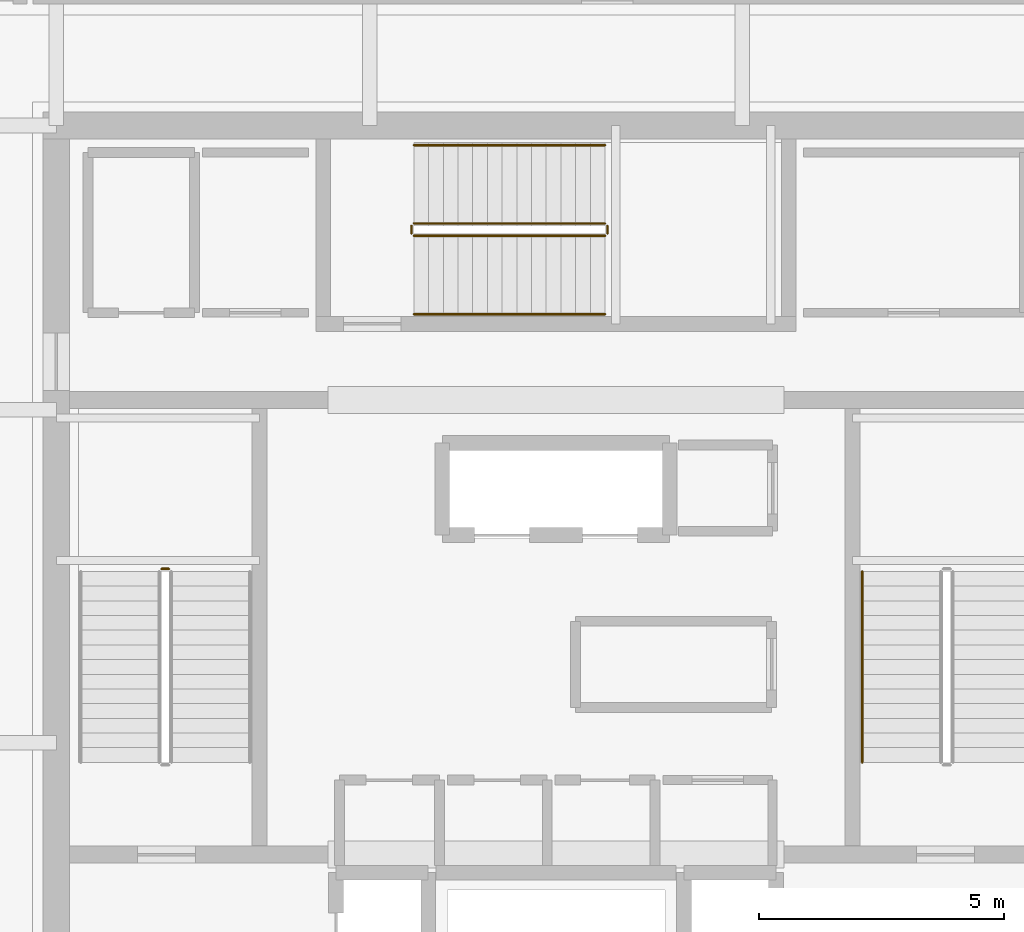
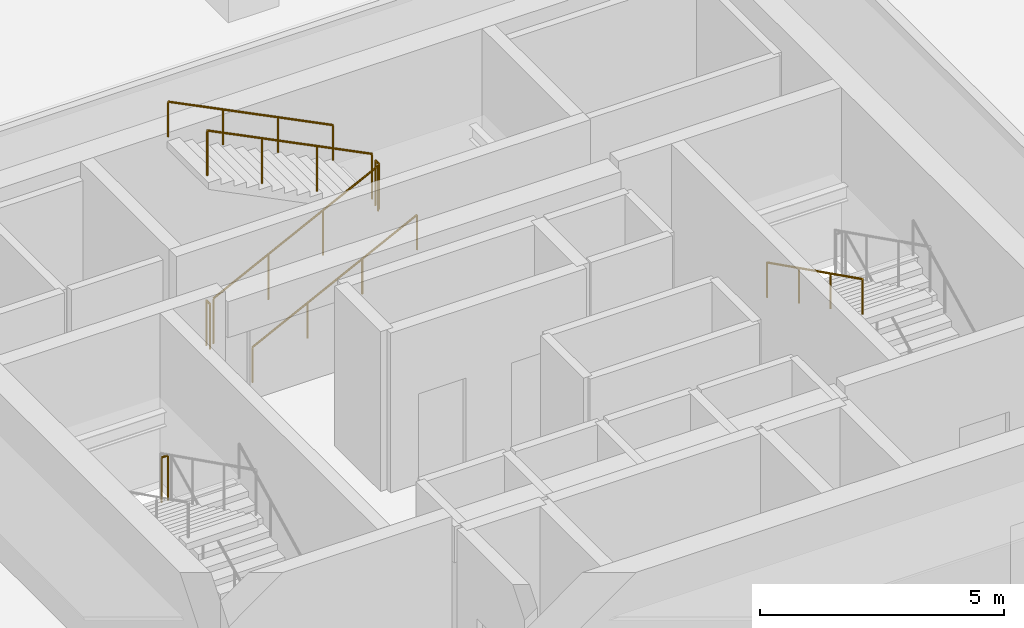
# One storey, part 40 of 42: 8 railings.
"""IFC4 building model written with IfcOpenShell, lengths in metres."""

from ifc_helpers import new_model, si_unit, direction, frame, origin, origin_2d, place, context, subcontext, project, spatial, circle, extrude, material, type_object, element, save


model = new_model("IFC4")

# Units and contexts
model_context = context("Model", 3, precision=1e-05, world=origin(), true_north=direction((0.0, 1.0)))
body_context = subcontext(model_context, "Body", "Model", "MODEL_VIEW")
ifc_project = project(units=[si_unit("LENGTHUNIT", "METRE"), si_unit("AREAUNIT", "SQUARE_METRE"), si_unit("VOLUMEUNIT", "CUBIC_METRE"), si_unit("PLANEANGLEUNIT", "RADIAN"), si_unit("MASSUNIT", "GRAM", prefix="KILO")], contexts=[model_context])

# Site, building, storey
site_placement = place(None, origin())
site = spatial("IfcSite", under=ifc_project, at=site_placement, CompositionType="ELEMENT")
building_placement = place(site_placement, origin())
building = spatial("IfcBuilding", under=site, at=building_placement, Name="Punatoya Terracotta Tower", CompositionType="ELEMENT")
storey_placement = place(building_placement, frame((0.0, 0.0, 296.39990234375)))
storey = spatial("IfcBuildingStorey", under=building, at=storey_placement, Name="L70", CompositionType="ELEMENT", Elevation=296.39990234375)

# Railings
ifc_material = material(Name="Steel S355", Category="steel")
railing_type_1 = type_object("IfcRailingType", Name="RLG-GRD-1150", PredefinedType="GUARDRAIL", material=ifc_material)
railing_1_placement = place(storey_placement, frame((-7.89990234375, 0.14990234375, 2.10009765625)))
element("IfcRailing", 1, at=railing_1_placement, inside=storey, type_object=railing_type_1, Name="L70 ST-1 stair guard 2", PredefinedType="GUARDRAIL", context=body_context, shape_type="SweptSolid", body=[
    extrude(circle(Radius=0.02392578125, at=origin_2d()), frame((0.0, 0.0, 1.1259765625), z_axis=(-1.0, 0.0, 0.0), x_axis=(0.0, -1.0, 0.0)), (0.0, 0.0, 1.0), 0.150146484375),
    extrude(circle(Radius=0.02099609375, at=origin_2d()), origin(), (0.0, 0.0, 1.0), 1.101806640625),
    extrude(circle(Radius=0.02099609375, at=origin_2d()), frame((-0.150146484375, 0.0, 0.0)), (0.0, 0.0, 1.0), 1.101806640625),
])
railing_2_placement = place(storey_placement, frame((-2.89990234375, 6.949951171875, 0.150146484375)))
element("IfcRailing", 2, at=railing_2_placement, inside=storey, type_object=railing_type_1, Name="L70 ST-3 stair guard 1", PredefinedType="GUARDRAIL", context=body_context, shape_type="SweptSolid", body=[
    extrude(circle(Radius=0.02392578125, at=origin_2d()), frame((0.0, 0.0, 1.1259765625), z_axis=(0.894427191, 0.0, 0.4472135955), x_axis=(0.0, 1.0, 0.0)), (0.0, 0.0, 1.0), 4.360107421875),
    extrude(circle(Radius=0.02099609375, at=origin_2d()), origin(), (0.0, 0.0, 1.0), 1.101806640625),
    extrude(circle(Radius=0.02099609375, at=origin_2d()), frame((1.300048828125, 0.0, 0.64990234375)), (0.0, 0.0, 1.0), 1.101806640625),
    extrude(circle(Radius=0.02099609375, at=origin_2d()), frame((2.599853515625, 0.0, 1.300048828125)), (0.0, 0.0, 1.0), 1.101806640625),
    extrude(circle(Radius=0.02099609375, at=origin_2d()), frame((3.89990234375, 0.0, 1.949951171875)), (0.0, 0.0, 1.0), 1.101806640625),
])
railing_3_placement = place(storey_placement, frame((1.050048828125, 7.0, 2.10009765625)))
element("IfcRailing", 3, at=railing_3_placement, inside=storey, type_object=railing_type_1, Name="L70 ST-3 stair guard 2", PredefinedType="GUARDRAIL", context=body_context, shape_type="SweptSolid", body=[
    extrude(circle(Radius=0.02392578125, at=origin_2d()), frame((0.0, 0.0, 1.1259765625), z_axis=(0.0, 1.0, 0.0), x_axis=(-1.0, 0.0, 0.0)), (0.0, 0.0, 1.0), 0.14990234375),
    extrude(circle(Radius=0.02099609375, at=origin_2d()), origin(), (0.0, 0.0, 1.0), 1.101806640625),
    extrude(circle(Radius=0.02099609375, at=origin_2d()), frame((0.0, 0.14990234375, 0.0)), (0.0, 0.0, 1.0), 1.101806640625),
])
railing_4_placement = place(storey_placement, frame((1.0, 7.199951171875, 2.25)))
element("IfcRailing", 4, at=railing_4_placement, inside=storey, type_object=railing_type_1, Name="L70 ST-3 stair guard 3", PredefinedType="GUARDRAIL", context=body_context, shape_type="SweptSolid", body=[
    extrude(circle(Radius=0.02392578125, at=origin_2d()), frame((0.0, 0.0, 1.1259765625), z_axis=(-0.894404793364, 0.0, 0.447258387967), x_axis=(0.0, -1.0, 0.0)), (0.0, 0.0, 1.0), 4.3603515625),
    extrude(circle(Radius=0.02099609375, at=origin_2d()), origin(), (0.0, 0.0, 1.0), 1.101806640625),
    extrude(circle(Radius=0.02099609375, at=origin_2d()), frame((-1.300048828125, 0.0, 0.650146484375)), (0.0, 0.0, 1.0), 1.101806640625),
    extrude(circle(Radius=0.02099609375, at=origin_2d()), frame((-2.599853515625, 0.0, 1.300048828125)), (0.0, 0.0, 1.0), 1.101806640625),
    extrude(circle(Radius=0.02099609375, at=origin_2d()), frame((-3.89990234375, 0.0, 1.9501953125)), (0.0, 0.0, 1.0), 1.101806640625),
])
railing_5_placement = place(storey_placement, frame((-2.949951171875, 7.0, 0.0)))
element("IfcRailing", 5, at=railing_5_placement, inside=storey, type_object=railing_type_1, Name="L70 ST-3 stair guard 4", PredefinedType="GUARDRAIL", context=body_context, shape_type="SweptSolid", body=[
    extrude(circle(Radius=0.02392578125, at=origin_2d()), frame((0.0, 0.0, 1.1259765625), z_axis=(0.0, 1.0, 0.0), x_axis=(-1.0, 0.0, 0.0)), (0.0, 0.0, 1.0), 0.14990234375),
    extrude(circle(Radius=0.02099609375, at=origin_2d()), origin(), (0.0, 0.0, 1.0), 1.101806640625),
    extrude(circle(Radius=0.02099609375, at=origin_2d()), frame((0.0, 0.14990234375, 0.0)), (0.0, 0.0, 1.0), 1.101806640625),
])
railing_type_2 = type_object("IfcRailingType", Name="RLG-HND-900", PredefinedType="HANDRAIL", material=ifc_material)
railing_6_placement = place(storey_placement, frame((6.25, 0.10009765625, 2.25)))
element("IfcRailing", 6, at=railing_6_placement, inside=storey, type_object=railing_type_2, Name="L70 ST-2 stair handrail 2", PredefinedType="HANDRAIL", context=body_context, shape_type="SweptSolid", body=[
    extrude(circle(Radius=0.02392578125, at=origin_2d()), frame((0.0, 0.0, 0.8759765625), z_axis=(0.0, -0.894415993023, 0.447235990752), x_axis=(1.0, 0.0, 0.0)), (0.0, 0.0, 1.0), 4.360595703125),
    extrude(circle(Radius=0.02099609375, at=origin_2d()), origin(), (0.0, 0.0, 1.0), 0.851806640625),
    extrude(circle(Radius=0.02099609375, at=origin_2d()), frame((0.0, -1.300048828125, 0.650146484375)), (0.0, 0.0, 1.0), 0.851806640625),
    extrude(circle(Radius=0.02099609375, at=origin_2d()), frame((0.0, -2.60009765625, 1.300048828125)), (0.0, 0.0, 1.0), 0.851806640625),
    extrude(circle(Radius=0.02099609375, at=origin_2d()), frame((0.0, -3.900146484375, 1.9501953125)), (0.0, 0.0, 1.0), 0.851806640625),
])
railing_7_placement = place(storey_placement, frame((-2.89990234375, 5.35009765625, 0.150146484375)))
element("IfcRailing", 7, at=railing_7_placement, inside=storey, type_object=railing_type_2, Name="L70 ST-3 stair handrail 1", PredefinedType="HANDRAIL", context=body_context, shape_type="SweptSolid", body=[
    extrude(circle(Radius=0.02392578125, at=origin_2d()), frame((0.0, 0.0, 0.8759765625), z_axis=(0.894427191, 0.0, 0.4472135955), x_axis=(0.0, 1.0, 0.0)), (0.0, 0.0, 1.0), 4.360107421875),
    extrude(circle(Radius=0.02099609375, at=origin_2d()), origin(), (0.0, 0.0, 1.0), 0.851806640625),
    extrude(circle(Radius=0.02099609375, at=origin_2d()), frame((1.300048828125, 0.0, 0.64990234375)), (0.0, 0.0, 1.0), 0.851806640625),
    extrude(circle(Radius=0.02099609375, at=origin_2d()), frame((2.599853515625, 0.0, 1.300048828125)), (0.0, 0.0, 1.0), 0.851806640625),
    extrude(circle(Radius=0.02099609375, at=origin_2d()), frame((3.89990234375, 0.0, 1.949951171875)), (0.0, 0.0, 1.0), 0.851806640625),
])
railing_8_placement = place(storey_placement, frame((1.0, 8.800048828125, 2.25)))
element("IfcRailing", 8, at=railing_8_placement, inside=storey, type_object=railing_type_2, Name="L70 ST-3 stair handrail 2", PredefinedType="HANDRAIL", context=body_context, shape_type="SweptSolid", body=[
    extrude(circle(Radius=0.02392578125, at=origin_2d()), frame((0.0, 0.0, 0.8759765625), z_axis=(-0.894404793364, 0.0, 0.447258387967), x_axis=(0.0, -1.0, 0.0)), (0.0, 0.0, 1.0), 4.3603515625),
    extrude(circle(Radius=0.02099609375, at=origin_2d()), origin(), (0.0, 0.0, 1.0), 0.851806640625),
    extrude(circle(Radius=0.02099609375, at=origin_2d()), frame((-1.300048828125, 0.0, 0.650146484375)), (0.0, 0.0, 1.0), 0.851806640625),
    extrude(circle(Radius=0.02099609375, at=origin_2d()), frame((-2.599853515625, 0.0, 1.300048828125)), (0.0, 0.0, 1.0), 0.851806640625),
    extrude(circle(Radius=0.02099609375, at=origin_2d()), frame((-3.89990234375, 0.0, 1.9501953125)), (0.0, 0.0, 1.0), 0.851806640625),
])

save(model, "model.ifc")
